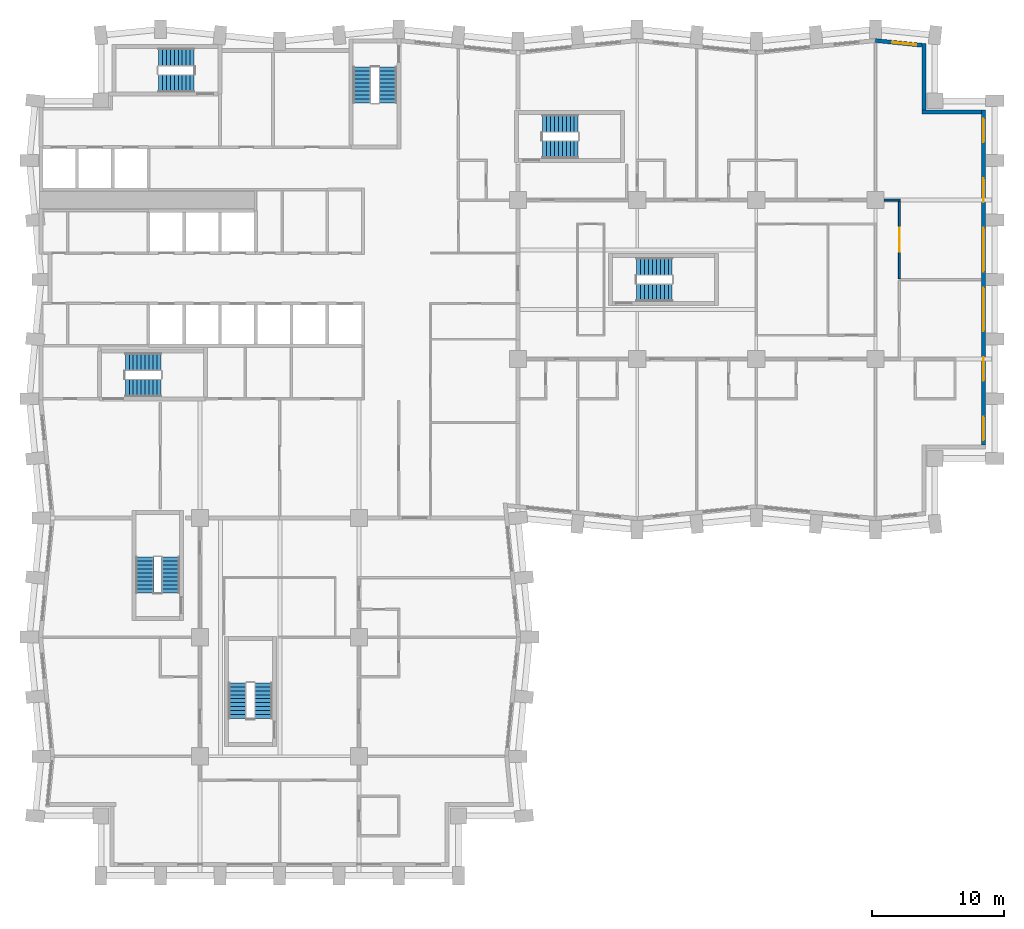
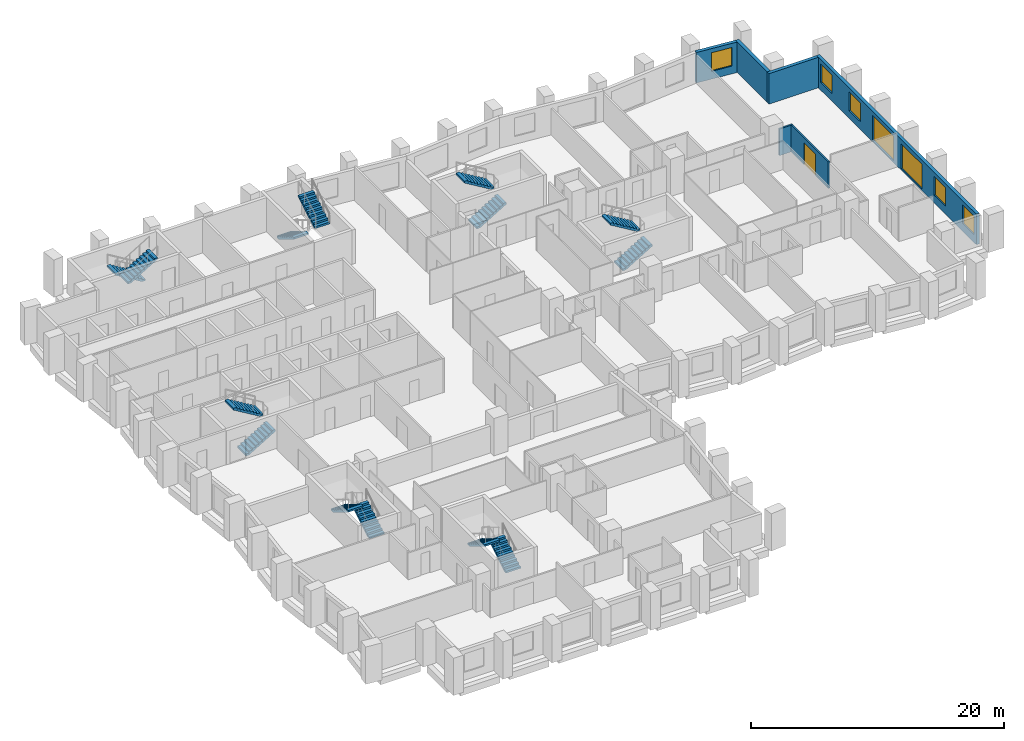
# One storey, part 10 of 12: 14 stair flights, 7 windows, 6 walls, 1 door, 8 openings, 7 elements without a shape of their own.
"""IFC4 building model written with IfcOpenShell, lengths in metres."""

import ifcopenshell
import ifcopenshell.guid

model = None  # the IFC model being written
_history = None  # IfcOwnerHistory: only IFC2X3 demands one
_inside = {}  # id of a spatial element -> (the spatial element, [elements in it])
_under = {}  # id of a project, library or spatial element -> (it, [spatial elements below it])
_declared = {}  # id of a project -> (the project, [libraries it declares])
_typed = {}  # id of a type object -> (the type object, [elements of that type])
_made_of = {}  # id of a material, layer set ... -> (it, [elements and type objects made of it])


def new_model(schema):
    """Start an empty IFC model of exactly this schema.

    Asked for "IFC4X3", IfcOpenShell would pick the latest addendum, in which some entities
    have other attributes; the version numbers below select the first issue.
    IFC2X3 requires an IfcOwnerHistory on every rooted entity: one is made here for all.
    """
    global model, _history
    if schema == "IFC4X3":
        model = ifcopenshell.file(schema_version=(4, 3, 0, 0))
    else:
        model = ifcopenshell.file(schema=schema)
    _inside.clear()
    _under.clear()
    _declared.clear()
    _typed.clear()
    _made_of.clear()
    _history = None
    if model.schema == "IFC2X3":
        org = make("IfcOrganization", Name="unknown")
        user = make(
            "IfcPersonAndOrganization",
            ThePerson=make("IfcPerson", FamilyName="unknown"),
            TheOrganization=org,
        )
        app = make(
            "IfcApplication",
            ApplicationDeveloper=org,
            Version="unknown",
            ApplicationFullName="unknown",
            ApplicationIdentifier="unknown",
        )
        _history = make(
            "IfcOwnerHistory",
            OwningUser=user,
            OwningApplication=app,
            ChangeAction="ADDED",
            CreationDate=0,
        )
    return model


def make(cls, **values):
    """One entity of the class cls with the attributes given. An attribute that is None is left unset."""
    return model.create_entity(
        cls, **{name: value for name, value in values.items() if value is not None}
    )


def rooted(cls, **values):
    """An entity with a GlobalId (a new one), such as an element, a storey or a relation."""
    return make(cls, GlobalId=ifcopenshell.guid.new(), OwnerHistory=_history, **values)


def si_unit(unit_type, name, prefix=None):
    """IfcSIUnit, for example si_unit("LENGTHUNIT", "METRE", prefix="MILLI")."""
    return make("IfcSIUnit", UnitType=unit_type, Prefix=prefix, Name=name)


def assignment(units):
    """IfcUnitAssignment: the units of a project."""
    return None if units is None else make("IfcUnitAssignment", Units=units)


def point(xyz):
    """IfcCartesianPoint."""
    return None if xyz is None else make("IfcCartesianPoint", Coordinates=xyz)


def direction(xyz):
    """IfcDirection."""
    return None if xyz is None else make("IfcDirection", DirectionRatios=xyz)


def frame(location, z_axis=None, x_axis=None):
    """IfcAxis2Placement3D, a coordinate frame: its origin and axes. An axis left out is left unset."""
    return make(
        "IfcAxis2Placement3D",
        Location=point(location),
        Axis=direction(z_axis),
        RefDirection=direction(x_axis),
    )


def frame_2d(location, x_axis=None):
    """IfcAxis2Placement2D, a coordinate frame in the plane: its origin and x axis."""
    return make(
        "IfcAxis2Placement2D", Location=point(location), RefDirection=direction(x_axis)
    )


def origin():
    """The frame at (0, 0, 0) with its axes left unset."""
    return frame((0.0, 0.0, 0.0))


def place(relative_to, where):
    """IfcLocalPlacement: puts the frame where relative to a parent placement (None: the world)."""
    return make(
        "IfcLocalPlacement", PlacementRelTo=relative_to, RelativePlacement=where
    )


def context(
    kind, dimensions, precision=None, world=None, true_north=None, identifier=None
):
    """IfcGeometricRepresentationContext, for example the 3D "Model" context."""
    return make(
        "IfcGeometricRepresentationContext",
        ContextIdentifier=identifier,
        ContextType=kind,
        CoordinateSpaceDimension=dimensions,
        Precision=precision,
        WorldCoordinateSystem=world,
        TrueNorth=true_north,
    )


def subcontext(parent, identifier, kind, view, scale=None):
    """IfcGeometricRepresentationSubContext, for example "Body" below "Model"."""
    return make(
        "IfcGeometricRepresentationSubContext",
        ContextIdentifier=identifier,
        ContextType=kind,
        ParentContext=parent,
        TargetScale=scale,
        TargetView=view,
    )


def project(units=None, contexts=None):
    """IfcProject with its units and contexts."""
    return rooted(
        "IfcProject",
        Name="project",
        RepresentationContexts=contexts,
        UnitsInContext=assignment(units),
    )


def spatial(cls, under=None, at=None, **own):
    """A site, building, storey or space (cls), placed at a placement, below another one or the project."""
    s = rooted(cls, ObjectPlacement=at, **own)
    if under is not None:
        _under.setdefault(under.id(), (under, []))[1].append(s)
    return s


def polyline(points):
    """IfcPolyline through the points."""
    return make("IfcPolyline", Points=[point(p) for p in points])


def profile(cls, at=None, kind="AREA", **sizes):
    """A parametric profile (cls). Its sizes go by their IFC names, for example OverallWidth=200.0."""
    return make(cls, ProfileType=kind, Position=at, **sizes)


def rectangle(**sizes):
    """IfcRectangleProfileDef."""
    return profile("IfcRectangleProfileDef", **sizes)


def outline(outer, holes=None, kind="AREA"):
    """IfcArbitraryClosedProfileDef: a profile drawn as a closed curve; with holes, ...WithVoids."""
    if holes is None:
        return make("IfcArbitraryClosedProfileDef", ProfileType=kind, OuterCurve=outer)
    return make(
        "IfcArbitraryProfileDefWithVoids",
        ProfileType=kind,
        OuterCurve=outer,
        InnerCurves=holes,
    )


def extrude(swept, where, along, depth):
    """IfcExtrudedAreaSolid: the profile swept, set in the frame where, extruded along a direction by depth."""
    return make(
        "IfcExtrudedAreaSolid",
        SweptArea=swept,
        Position=where,
        ExtrudedDirection=direction(along),
        Depth=depth,
    )


def shape(context_of_items, identifier, shape_type, items):
    """IfcShapeRepresentation: the items that make up one representation, for example the "Body"."""
    return make(
        "IfcShapeRepresentation",
        ContextOfItems=context_of_items,
        RepresentationIdentifier=identifier,
        RepresentationType=shape_type,
        Items=items,
    )


def material(Name=None, Category=None):
    """IfcMaterial."""
    return make("IfcMaterial", Name=Name, Category=Category)


def layer(
    of_material, thickness, ventilated=None, Name=None, Category=None, Priority=None
):
    """IfcMaterialLayer: one layer of a wall or slab, of a material (None: an air gap)."""
    return make(
        "IfcMaterialLayer",
        Material=of_material,
        LayerThickness=thickness,
        IsVentilated=ventilated,
        Name=Name,
        Category=Category,
        Priority=Priority,
    )


def layer_set(layers, Name=None):
    """IfcMaterialLayerSet."""
    return make("IfcMaterialLayerSet", MaterialLayers=layers, LayerSetName=Name)


def made_of(thing, what):
    """Note that an element or type object is made of a material, layer set ...; save() writes the relation."""
    if what is not None:
        _made_of.setdefault(what.id(), (what, []))[1].append(thing)
    return thing


def type_object(cls, material=None, **own):
    """A type object (cls), such as IfcWallType, which elements share."""
    return made_of(rooted(cls, **own), material)


def element(
    cls,
    number,
    at=None,
    inside=None,
    cuts=None,
    type_object=None,
    material=None,
    context=None,
    identifier="Body",
    shape_type=None,
    held_by="IfcProductDefinitionShape",
    body=None,
    shapes=None,
    **own,
):
    """One element of the class cls, such as IfcWall. Its Tag is "e" and its number.

    at: its placement. inside: the storey or other place that contains it. cuts: it is an
    opening in that element (IfcRelVoidsElement). A single representation is given by context,
    identifier, shape_type and body (its items); several are given by shapes. held_by: the class
    of the entity that holds the representations. save() writes the other relations.
    """
    e = rooted(cls, Tag="e%d" % number, ObjectPlacement=at, **own)
    if body is not None:
        shapes = [shape(context, identifier, shape_type, body)]
    if shapes is not None:
        e.Representation = make(held_by, Representations=shapes)
    if inside is not None:
        _inside.setdefault(inside.id(), (inside, []))[1].append(e)
    if cuts is not None:
        rooted(
            "IfcRelVoidsElement", RelatingBuildingElement=cuts, RelatedOpeningElement=e
        )
    if type_object is not None:
        _typed.setdefault(type_object.id(), (type_object, []))[1].append(e)
    return made_of(e, material)


def fill(opening, filler):
    """IfcRelFillsElement: the door or window that sits in an opening."""
    return rooted(
        "IfcRelFillsElement",
        RelatingOpeningElement=opening,
        RelatedBuildingElement=filler,
    )


def aggregate(whole, parts):
    """IfcRelAggregates: a whole, such as a stair, and the parts it consists of."""
    return rooted("IfcRelAggregates", RelatingObject=whole, RelatedObjects=parts)


def save(model, path):
    """Write the relations noted so far, then the file.

    IfcRelAggregates (storeys below a building ...), IfcRelContainedInSpatialStructure (elements
    in a storey), IfcRelDefinesByType, IfcRelAssociatesMaterial and IfcRelDeclares: one each for
    every whole, place, type object, material and project.
    """
    for whole, parts in _under.values():
        aggregate(whole, parts)
    for where, things in _inside.values():
        rooted(
            "IfcRelContainedInSpatialStructure",
            RelatedElements=things,
            RelatingStructure=where,
        )
    for kind, things in _typed.values():
        rooted("IfcRelDefinesByType", RelatedObjects=things, RelatingType=kind)
    for what, things in _made_of.values():
        rooted("IfcRelAssociatesMaterial", RelatedObjects=things, RelatingMaterial=what)
    for by, libraries in _declared.values():
        rooted("IfcRelDeclares", RelatingContext=by, RelatedDefinitions=libraries)
    model.write(path)


model = new_model("IFC4")

# Units and contexts
model_context = context("Model", 3, precision=1e-05, world=origin(), true_north=direction((0.0, 1.0)))
body_context = subcontext(model_context, "Body", "Model", "MODEL_VIEW")
ifc_project = project(units=[si_unit("LENGTHUNIT", "METRE"), si_unit("AREAUNIT", "SQUARE_METRE"), si_unit("VOLUMEUNIT", "CUBIC_METRE"), si_unit("PLANEANGLEUNIT", "RADIAN"), si_unit("MASSUNIT", "GRAM", prefix="KILO")], contexts=[model_context])

# Site, building, storey
site_placement = place(None, origin())
site = spatial("IfcSite", under=ifc_project, at=site_placement, CompositionType="ELEMENT")
building_placement = place(site_placement, origin())
building = spatial("IfcBuilding", under=site, at=building_placement, Name="Brondeck Convention Tower", CompositionType="ELEMENT")
storey_placement = place(building_placement, frame((0.0, 0.0, 55.5)))
storey = spatial("IfcBuildingStorey", under=building, at=storey_placement, Name="L11", CompositionType="ELEMENT", Elevation=55.5)

# Wall, openings, windows
ifc_material_1 = material(Name="Precast concrete C50/60 bronze finish", Category="concrete")
ifc_layer_1 = layer(ifc_material_1, 0.070068359375, Name="Bronze precast facing")
ifc_material_2 = material(Name="Mineral wool")
ifc_layer_2 = layer(ifc_material_2, 0.159912109375, Name="Insulation")
ifc_material_3 = material(Name="Concrete C35/45", Category="concrete")
ifc_layer_3 = layer(ifc_material_3, 0.070068359375, Name="Backing")
ifc_layer_set_1 = layer_set([ifc_layer_1, ifc_layer_2, ifc_layer_3], Name="External infill wall, precast concrete C50/60 bronze facing")
wall_type_1 = type_object("IfcWallType", Name="External infill wall, precast concrete C50/60 bronze facing", PredefinedType="SOLIDWALL", material=ifc_layer_set_1)
wall_1_placement = place(storey_placement, frame((71.14990234375, 57.800048828125, 0.0), z_axis=(0.0, 0.0, 1.0), x_axis=(0.0, -1.0, 0.0)))
wall_1 = element("IfcWall", 1, at=wall_1_placement, inside=storey, type_object=wall_type_1, Name="ENV-EW-L11-P0-A-E72-01", PredefinedType="SOLIDWALL", context=body_context, shape_type="SweptSolid", body=[
    extrude(rectangle(XDim=25.302001953125, YDim=0.300048828125, at=frame_2d((12.65087890625, 0.0))), origin(), (0.0, 0.0, 1.0), 2.949951171875),
])
opening_1_placement = place(wall_1_placement, frame((0.64990234375, 0.0, 0.75)))
opening_1 = element("IfcOpeningElement", 2, at=opening_1_placement, cuts=wall_1, Name="Opening W10", PredefinedType="OPENING", context=body_context, shape_type="SweptSolid", body=[
    extrude(rectangle(XDim=1.800048828125, YDim=1.800048828125, at=frame_2d((0.89990234375, 0.89990234375))), frame((0.0, 0.159912109375, 0.0), z_axis=(0.0, -1.0, 0.0), x_axis=(1.0, 0.0, 0.0)), (0.0, 0.0, 1.0), 0.320068359375),
])
opening_2_placement = place(wall_1_placement, frame((5.14990234375, 0.0, 0.75)))
opening_2 = element("IfcOpeningElement", 3, at=opening_2_placement, cuts=wall_1, Name="Opening W10", PredefinedType="OPENING", context=body_context, shape_type="SweptSolid", body=[
    extrude(rectangle(XDim=1.800048828125, YDim=1.800048828125, at=frame_2d((0.89990234375, 0.89990234375))), frame((0.0, 0.159912109375, 0.0), z_axis=(0.0, -1.0, 0.0), x_axis=(1.0, 0.0, 0.0)), (0.0, 0.0, 1.0), 0.320068359375),
])
opening_3_placement = place(wall_1_placement, frame((8.89990234375, 0.0, 0.14990234375)))
opening_3 = element("IfcOpeningElement", 4, at=opening_3_placement, cuts=wall_1, Name="Opening W9", PredefinedType="OPENING", context=body_context, shape_type="SweptSolid", body=[
    extrude(rectangle(XDim=3.300048828125, YDim=2.39990234375, at=frame_2d((1.64990234375, 1.199951171875))), frame((0.0, 0.159912109375, 0.0), z_axis=(0.0, -1.0, 0.0), x_axis=(1.0, 0.0, 0.0)), (0.0, 0.0, 1.0), 0.320068359375),
])
opening_4_placement = place(wall_1_placement, frame((13.39990234375, 0.0, 0.14990234375)))
opening_4 = element("IfcOpeningElement", 5, at=opening_4_placement, cuts=wall_1, Name="Opening W9", PredefinedType="OPENING", context=body_context, shape_type="SweptSolid", body=[
    extrude(rectangle(XDim=3.300048828125, YDim=2.39990234375, at=frame_2d((1.64990234375, 1.199951171875))), frame((0.0, 0.159912109375, 0.0), z_axis=(0.0, -1.0, 0.0), x_axis=(1.0, 0.0, 0.0)), (0.0, 0.0, 1.0), 0.320068359375),
])
opening_5_placement = place(wall_1_placement, frame((18.64990234375, 0.0, 0.75)))
opening_5 = element("IfcOpeningElement", 6, at=opening_5_placement, cuts=wall_1, Name="Opening W10", PredefinedType="OPENING", context=body_context, shape_type="SweptSolid", body=[
    extrude(rectangle(XDim=1.800048828125, YDim=1.800048828125, at=frame_2d((0.89990234375, 0.89990234375))), frame((0.0, 0.159912109375, 0.0), z_axis=(0.0, -1.0, 0.0), x_axis=(1.0, 0.0, 0.0)), (0.0, 0.0, 1.0), 0.320068359375),
])
opening_6_placement = place(wall_1_placement, frame((23.14990234375, 0.0, 0.75)))
opening_6 = element("IfcOpeningElement", 7, at=opening_6_placement, cuts=wall_1, Name="Opening W10", PredefinedType="OPENING", context=body_context, shape_type="SweptSolid", body=[
    extrude(rectangle(XDim=1.800048828125, YDim=1.800048828125, at=frame_2d((0.89990234375, 0.89990234375))), frame((0.0, 0.159912109375, 0.0), z_axis=(0.0, -1.0, 0.0), x_axis=(1.0, 0.0, 0.0)), (0.0, 0.0, 1.0), 0.320068359375),
])
ifc_material_4 = material(Name="Bronze tinted double glazing", Category="glass")
window_type_1 = type_object("IfcWindowType", Name="Glazed flute window, bronze tinted", PartitioningType="SINGLE_PANEL", PredefinedType="WINDOW", material=ifc_material_4)
window_1_placement = place(opening_3_placement, origin())
window_1 = element("IfcWindow", 8, at=window_1_placement, inside=storey, type_object=window_type_1, Name="ENV-WN-L11-P0-A-E72-04", OverallHeight=2.39990234375, OverallWidth=3.300048828125, PartitioningType="SINGLE_PANEL", PredefinedType="WINDOW", context=body_context, shape_type="SweptSolid", body=[
    extrude(rectangle(XDim=3.300048828125, YDim=2.39990234375, at=frame_2d((1.64990234375, 1.199951171875))), frame((0.0, 0.030029296875, 0.0), z_axis=(0.0, -1.0, 0.0), x_axis=(1.0, 0.0, 0.0)), (0.0, 0.0, 1.0), 0.06005859375),
])
fill(opening_3, window_1)
window_2_placement = place(opening_4_placement, origin())
window_2 = element("IfcWindow", 9, at=window_2_placement, inside=storey, type_object=window_type_1, Name="ENV-WN-L11-P0-A-E72-03", OverallHeight=2.39990234375, OverallWidth=3.300048828125, PartitioningType="SINGLE_PANEL", PredefinedType="WINDOW", context=body_context, shape_type="SweptSolid", body=[
    extrude(rectangle(XDim=3.300048828125, YDim=2.39990234375, at=frame_2d((1.64990234375, 1.199951171875))), frame((0.0, 0.030029296875, 0.0), z_axis=(0.0, -1.0, 0.0), x_axis=(1.0, 0.0, 0.0)), (0.0, 0.0, 1.0), 0.06005859375),
])
fill(opening_4, window_2)
window_type_2 = type_object("IfcWindowType", Name="Punched window, bronze tinted", PartitioningType="SINGLE_PANEL", PredefinedType="WINDOW", material=ifc_material_4)
window_3_placement = place(opening_1_placement, origin())
window_3 = element("IfcWindow", 10, at=window_3_placement, inside=storey, type_object=window_type_2, Name="ENV-WN-L11-P0-A-E72-06", OverallHeight=1.800048828125, OverallWidth=1.800048828125, PartitioningType="SINGLE_PANEL", PredefinedType="WINDOW", context=body_context, shape_type="SweptSolid", body=[
    extrude(rectangle(XDim=1.800048828125, YDim=1.800048828125, at=frame_2d((0.89990234375, 0.89990234375))), frame((0.0, 0.030029296875, 0.0), z_axis=(0.0, -1.0, 0.0), x_axis=(1.0, 0.0, 0.0)), (0.0, 0.0, 1.0), 0.06005859375),
])
fill(opening_1, window_3)
window_4_placement = place(opening_2_placement, origin())
window_4 = element("IfcWindow", 11, at=window_4_placement, inside=storey, type_object=window_type_2, Name="ENV-WN-L11-P0-A-E72-05", OverallHeight=1.800048828125, OverallWidth=1.800048828125, PartitioningType="SINGLE_PANEL", PredefinedType="WINDOW", context=body_context, shape_type="SweptSolid", body=[
    extrude(rectangle(XDim=1.800048828125, YDim=1.800048828125, at=frame_2d((0.89990234375, 0.89990234375))), frame((0.0, 0.030029296875, 0.0), z_axis=(0.0, -1.0, 0.0), x_axis=(1.0, 0.0, 0.0)), (0.0, 0.0, 1.0), 0.06005859375),
])
fill(opening_2, window_4)
window_5_placement = place(opening_5_placement, origin())
window_5 = element("IfcWindow", 12, at=window_5_placement, inside=storey, type_object=window_type_2, Name="ENV-WN-L11-P0-A-E72-02", OverallHeight=1.800048828125, OverallWidth=1.800048828125, PartitioningType="SINGLE_PANEL", PredefinedType="WINDOW", context=body_context, shape_type="SweptSolid", body=[
    extrude(rectangle(XDim=1.800048828125, YDim=1.800048828125, at=frame_2d((0.89990234375, 0.89990234375))), frame((0.0, 0.030029296875, 0.0), z_axis=(0.0, -1.0, 0.0), x_axis=(1.0, 0.0, 0.0)), (0.0, 0.0, 1.0), 0.06005859375),
])
fill(opening_5, window_5)
window_6_placement = place(opening_6_placement, origin())
window_6 = element("IfcWindow", 13, at=window_6_placement, inside=storey, type_object=window_type_2, Name="ENV-WN-L11-P0-A-E72-01", OverallHeight=1.800048828125, OverallWidth=1.800048828125, PartitioningType="SINGLE_PANEL", PredefinedType="WINDOW", context=body_context, shape_type="SweptSolid", body=[
    extrude(rectangle(XDim=1.800048828125, YDim=1.800048828125, at=frame_2d((0.89990234375, 0.89990234375))), frame((0.0, 0.030029296875, 0.0), z_axis=(0.0, -1.0, 0.0), x_axis=(1.0, 0.0, 0.0)), (0.0, 0.0, 1.0), 0.06005859375),
])
fill(opening_6, window_6)

# Walls
wall_2_placement = place(storey_placement, frame((66.5, 57.64990234375, 0.0), z_axis=(0.0, 0.0, 1.0), x_axis=(1.0, 0.0, 0.0)))
element("IfcWall", 14, at=wall_2_placement, inside=storey, type_object=wall_type_1, Name="ENV-EW-L11-P0-NC-NEA72-01", PredefinedType="SOLIDWALL", context=body_context, shape_type="SweptSolid", body=[
    extrude(rectangle(XDim=4.5, YDim=0.300048828125, at=frame_2d((2.25, 0.0))), origin(), (0.0, 0.0, 1.0), 2.949951171875),
])
wall_3_placement = place(storey_placement, frame((66.64990234375, 62.81640625, 0.0), z_axis=(0.0, 0.0, 1.0), x_axis=(0.0, -1.0, 0.0)))
element("IfcWall", 15, at=wall_3_placement, inside=storey, type_object=wall_type_1, Name="ENV-EW-L11-P0-NC-NEA72-02", PredefinedType="SOLIDWALL", context=body_context, shape_type="SweptSolid", body=[
    extrude(rectangle(XDim=5.018310546875, YDim=0.300048828125, at=frame_2d((2.50927734375, 0.0))), origin(), (0.0, 0.0, 1.0), 2.949951171875),
])

# Wall, opening, window
wall_4_placement = place(storey_placement, frame((62.985107421875, 63.04736328125, 0.0), z_axis=(0.0, 0.0, 1.0), x_axis=(0.995031712439, -0.099558481511, 0.0)))
wall_4 = element("IfcWall", 16, at=wall_4_placement, inside=storey, type_object=wall_type_1, Name="ENV-EW-L11-P0-A-N-14", PredefinedType="SOLIDWALL", context=body_context, shape_type="SweptSolid", body=[
    extrude(rectangle(XDim=3.53125, YDim=0.300048828125, at=frame_2d((1.765625, 0.0))), origin(), (0.0, 0.0, 1.0), 2.949951171875),
])
opening_7_placement = place(wall_4_placement, frame((1.291259765625, 0.0, 0.75)))
opening_7 = element("IfcOpeningElement", 17, at=opening_7_placement, cuts=wall_4, Name="Opening W10", PredefinedType="OPENING", context=body_context, shape_type="SweptSolid", body=[
    extrude(rectangle(XDim=1.800048828125, YDim=1.800048828125, at=frame_2d((0.89990234375, 0.89990234375))), frame((0.0, 0.159912109375, 0.0), z_axis=(0.0, -1.0, 0.0), x_axis=(1.0, 0.0, 0.0)), (0.0, 0.0, 1.0), 0.320068359375),
])
window_7_placement = place(opening_7_placement, origin())
window_7 = element("IfcWindow", 18, at=window_7_placement, inside=storey, type_object=window_type_2, Name="ENV-WN-L11-P0-A-N-14", OverallHeight=1.800048828125, OverallWidth=1.800048828125, PartitioningType="SINGLE_PANEL", PredefinedType="WINDOW", context=body_context, shape_type="SweptSolid", body=[
    extrude(rectangle(XDim=1.800048828125, YDim=1.800048828125, at=frame_2d((0.89990234375, 0.89990234375))), frame((0.0, 0.030029296875, 0.0), z_axis=(0.0, -1.0, 0.0), x_axis=(1.0, 0.0, 0.0)), (0.0, 0.0, 1.0), 0.06005859375),
])
fill(opening_7, window_7)

# Wall, opening, door
ifc_material_5 = material(Name="Double gypsum board acoustic wall")
ifc_layer_4 = layer(ifc_material_5, 0.14990234375)
ifc_layer_set_2 = layer_set([ifc_layer_4], Name="Guest room party wall 150")
wall_type_2 = type_object("IfcWallType", Name="Guest room party wall 150", PredefinedType="PARTITIONING", material=ifc_layer_set_2)
wall_5_placement = place(storey_placement, frame((64.800048828125, 50.925048828125, 0.0), z_axis=(0.0, 0.0, 1.0), x_axis=(0.0, -1.0, 0.0)))
wall_5 = element("IfcWall", 19, at=wall_5_placement, inside=storey, type_object=wall_type_2, Name="FLR-L11-W102", PredefinedType="PARTITIONING", context=body_context, shape_type="SweptSolid", body=[
    extrude(rectangle(XDim=5.85009765625, YDim=0.14990234375, at=frame_2d((2.925048828125, 0.0))), origin(), (0.0, 0.0, 1.0), 2.580078125),
])
opening_8_placement = place(wall_5_placement, frame((2.02490234375, 0.0, 0.0)))
opening_8 = element("IfcOpeningElement", 20, at=opening_8_placement, cuts=wall_5, Name="Opening H2-019", PredefinedType="OPENING", context=body_context, shape_type="SweptSolid", body=[
    extrude(rectangle(XDim=1.800048828125, YDim=2.10009765625, at=frame_2d((0.89990234375, 1.050048828125))), frame((0.0, 0.0849609375, 0.0), z_axis=(0.0, -1.0, 0.0), x_axis=(1.0, 0.0, 0.0)), (0.0, 0.0, 1.0), 0.169921875),
])
ifc_material_6 = material(Name="Glazed timber double door", Category="wood")
door_type = type_object("IfcDoorType", Name="Double door 1800", OperationType="DOUBLE_DOOR_SINGLE_SWING", PredefinedType="DOOR", material=ifc_material_6)
door_placement = place(opening_8_placement, origin())
door = element("IfcDoor", 21, at=door_placement, inside=storey, type_object=door_type, Name="Door H2-019", OperationType="DOUBLE_DOOR_SINGLE_SWING", OverallHeight=2.10009765625, OverallWidth=1.800048828125, PredefinedType="DOOR", context=body_context, shape_type="SweptSolid", body=[
    extrude(rectangle(XDim=1.800048828125, YDim=2.10009765625, at=frame_2d((0.89990234375, 1.050048828125))), frame((0.0, 0.02490234375, 0.0), z_axis=(0.0, -1.0, 0.0), x_axis=(1.0, 0.0, 0.0)), (0.0, 0.0, 1.0), 0.050048828125),
])
fill(opening_8, door)

# Wall
wall_6_placement = place(storey_placement, frame((63.655029296875, 51.0, 0.0), z_axis=(0.0, 0.0, 1.0), x_axis=(1.0, 0.0, 0.0)))
element("IfcWall", 22, at=wall_6_placement, inside=storey, type_object=wall_type_2, Name="FLR-L11-W113", PredefinedType="PARTITIONING", context=body_context, shape_type="SweptSolid", body=[
    extrude(rectangle(XDim=1.219970703125, YDim=0.14990234375, at=frame_2d((0.60986328125, 0.0))), origin(), (0.0, 0.0, 1.0), 2.580078125),
])

# Stair, stair flights
ifc_material_7 = material(Name="Precast concrete C50/60", Category="concrete")
stair_type = type_object("IfcStairType", Name="Core stair 20 risers 180.00 mm riser 300 mm going 1350 wide", PredefinedType="HALF_TURN_STAIR", material=ifc_material_7)
stair_1_placement = place(storey_placement, origin())
stair_1 = element("IfcStair", 23, at=stair_1_placement, inside=storey, type_object=stair_type, Name="ST-1 L11 stair", PredefinedType="HALF_TURN_STAIR")
stair_flight_type = type_object("IfcStairFlightType", Name="Core stair flight 20 risers 180.00 mm riser 300 mm going 1350 wide", PredefinedType="STRAIGHT", material=ifc_material_7)
stair_flight_1_placement = place(storey_placement, frame((6.35009765625, 36.824951171875, 0.0), z_axis=(0.0, 0.0, 1.0), x_axis=(1.0, 0.0, 0.0)))
stair_flight_1 = element("IfcStairFlight", 24, at=stair_flight_1_placement, type_object=stair_flight_type, Name="ST-1 flight 1", NumberOfRisers=10, NumberOfTreads=9, PredefinedType="STRAIGHT", RiserHeight=0.18, TreadLength=0.3, context=body_context, shape_type="SweptSolid", body=[
    extrude(outline(polyline([(0.0, 0.0), (0.0, 0.179931640625), (0.300048828125, 0.179931640625), (0.300048828125, 0.360107421875), (0.60009765625, 0.360107421875), (0.60009765625, 0.5400390625), (0.89990234375, 0.5400390625), (0.89990234375, 0.719970703125), (1.199951171875, 0.719970703125), (1.199951171875, 0.89990234375), (1.5, 0.89990234375), (1.5, 1.080078125), (1.800048828125, 1.080078125), (1.800048828125, 1.260009765625), (2.10009765625, 1.260009765625), (2.10009765625, 1.43994140625), (2.39990234375, 1.43994140625), (2.39990234375, 1.6201171875), (2.699951171875, 1.6201171875), (2.699951171875, 1.800048828125), (2.699951171875, 1.445068359375), (0.291259765625, 0.0), (0.0, 0.0)])), frame((0.0, 0.675048828125, 0.0), z_axis=(0.0, -1.0, 0.0), x_axis=(1.0, 0.0, 0.0)), (0.0, 0.0, 1.0), 1.35009765625),
])
stair_flight_2_placement = place(storey_placement, frame((9.050048828125, 38.77490234375, 1.800048828125), z_axis=(0.0, 0.0, 1.0), x_axis=(-1.0, 0.0, 0.0)))
stair_flight_2 = element("IfcStairFlight", 25, at=stair_flight_2_placement, type_object=stair_flight_type, Name="ST-1 flight 2", NumberOfRisers=10, NumberOfTreads=9, PredefinedType="STRAIGHT", RiserHeight=0.18, TreadLength=0.3, context=body_context, shape_type="SweptSolid", body=[
    extrude(outline(polyline([(0.0, 0.0), (0.0, 0.179931640625), (0.300048828125, 0.179931640625), (0.300048828125, 0.360107421875), (0.60009765625, 0.360107421875), (0.60009765625, 0.5400390625), (0.89990234375, 0.5400390625), (0.89990234375, 0.719970703125), (1.199951171875, 0.719970703125), (1.199951171875, 0.89990234375), (1.5, 0.89990234375), (1.5, 1.080078125), (1.800048828125, 1.080078125), (1.800048828125, 1.260009765625), (2.10009765625, 1.260009765625), (2.10009765625, 1.43994140625), (2.39990234375, 1.43994140625), (2.39990234375, 1.6201171875), (2.699951171875, 1.6201171875), (2.699951171875, 1.800048828125), (2.699951171875, 1.445068359375), (0.291259765625, 0.0), (0.0, 0.0)])), frame((0.0, 0.675048828125, 0.0), z_axis=(0.0, -1.0, 0.0), x_axis=(1.0, 0.0, 0.0)), (0.0, 0.0, 1.0), 1.35009765625),
])
aggregate(stair_1, [stair_flight_1, stair_flight_2])

stair_2_placement = place(storey_placement, origin())
stair_2 = element("IfcStair", 26, at=stair_2_placement, inside=storey, type_object=stair_type, Name="ST-2 L11 stair", PredefinedType="HALF_TURN_STAIR")
stair_flight_3_placement = place(storey_placement, frame((24.22509765625, 61.050048828125, 0.0), z_axis=(0.0, 0.0, 1.0), x_axis=(0.0, -1.0, 0.0)))
stair_flight_3 = element("IfcStairFlight", 27, at=stair_flight_3_placement, type_object=stair_flight_type, Name="ST-2 flight 1", NumberOfRisers=10, NumberOfTreads=9, PredefinedType="STRAIGHT", RiserHeight=0.18, TreadLength=0.3, context=body_context, shape_type="SweptSolid", body=[
    extrude(outline(polyline([(0.0, 0.0), (0.0, 0.179931640625), (0.300048828125, 0.179931640625), (0.300048828125, 0.360107421875), (0.60009765625, 0.360107421875), (0.60009765625, 0.5400390625), (0.89990234375, 0.5400390625), (0.89990234375, 0.719970703125), (1.199951171875, 0.719970703125), (1.199951171875, 0.89990234375), (1.5, 0.89990234375), (1.5, 1.080078125), (1.800048828125, 1.080078125), (1.800048828125, 1.260009765625), (2.10009765625, 1.260009765625), (2.10009765625, 1.43994140625), (2.39990234375, 1.43994140625), (2.39990234375, 1.6201171875), (2.699951171875, 1.6201171875), (2.699951171875, 1.800048828125), (2.699951171875, 1.445068359375), (0.291259765625, 0.0), (0.0, 0.0)])), frame((0.0, 0.675048828125, 0.0), z_axis=(0.0, -1.0, 0.0), x_axis=(1.0, 0.0, 0.0)), (0.0, 0.0, 1.0), 1.35009765625),
])
stair_flight_4_placement = place(storey_placement, frame((26.175048828125, 58.35009765625, 1.800048828125), z_axis=(0.0, 0.0, 1.0), x_axis=(0.0, 1.0, 0.0)))
stair_flight_4 = element("IfcStairFlight", 28, at=stair_flight_4_placement, type_object=stair_flight_type, Name="ST-2 flight 2", NumberOfRisers=10, NumberOfTreads=9, PredefinedType="STRAIGHT", RiserHeight=0.18, TreadLength=0.3, context=body_context, shape_type="SweptSolid", body=[
    extrude(outline(polyline([(0.0, 0.0), (0.0, 0.179931640625), (0.300048828125, 0.179931640625), (0.300048828125, 0.360107421875), (0.60009765625, 0.360107421875), (0.60009765625, 0.5400390625), (0.89990234375, 0.5400390625), (0.89990234375, 0.719970703125), (1.199951171875, 0.719970703125), (1.199951171875, 0.89990234375), (1.5, 0.89990234375), (1.5, 1.080078125), (1.800048828125, 1.080078125), (1.800048828125, 1.260009765625), (2.10009765625, 1.260009765625), (2.10009765625, 1.43994140625), (2.39990234375, 1.43994140625), (2.39990234375, 1.6201171875), (2.699951171875, 1.6201171875), (2.699951171875, 1.800048828125), (2.699951171875, 1.445068359375), (0.291259765625, 0.0), (0.0, 0.0)])), frame((0.0, 0.675048828125, 0.0), z_axis=(0.0, -1.0, 0.0), x_axis=(1.0, 0.0, 0.0)), (0.0, 0.0, 1.0), 1.35009765625),
])
aggregate(stair_2, [stair_flight_3, stair_flight_4])

stair_3_placement = place(storey_placement, origin())
stair_3 = element("IfcStair", 29, at=stair_3_placement, inside=storey, type_object=stair_type, Name="ST-3 L11 stair", PredefinedType="HALF_TURN_STAIR")
stair_flight_5_placement = place(storey_placement, frame((11.550048828125, 61.77490234375, 0.0), z_axis=(0.0, 0.0, 1.0), x_axis=(-1.0, 0.0, 0.0)))
stair_flight_5 = element("IfcStairFlight", 30, at=stair_flight_5_placement, type_object=stair_flight_type, Name="ST-3 flight 1", NumberOfRisers=10, NumberOfTreads=9, PredefinedType="STRAIGHT", RiserHeight=0.18, TreadLength=0.3, context=body_context, shape_type="SweptSolid", body=[
    extrude(outline(polyline([(0.0, 0.0), (0.0, 0.179931640625), (0.300048828125, 0.179931640625), (0.300048828125, 0.360107421875), (0.60009765625, 0.360107421875), (0.60009765625, 0.5400390625), (0.89990234375, 0.5400390625), (0.89990234375, 0.719970703125), (1.199951171875, 0.719970703125), (1.199951171875, 0.89990234375), (1.5, 0.89990234375), (1.5, 1.080078125), (1.800048828125, 1.080078125), (1.800048828125, 1.260009765625), (2.10009765625, 1.260009765625), (2.10009765625, 1.43994140625), (2.39990234375, 1.43994140625), (2.39990234375, 1.6201171875), (2.699951171875, 1.6201171875), (2.699951171875, 1.800048828125), (2.699951171875, 1.445068359375), (0.291259765625, 0.0), (0.0, 0.0)])), frame((0.0, 0.675048828125, 0.0), z_axis=(0.0, -1.0, 0.0), x_axis=(1.0, 0.0, 0.0)), (0.0, 0.0, 1.0), 1.35009765625),
])
stair_flight_6_placement = place(storey_placement, frame((8.85009765625, 59.824951171875, 1.800048828125), z_axis=(0.0, 0.0, 1.0), x_axis=(1.0, 0.0, 0.0)))
stair_flight_6 = element("IfcStairFlight", 31, at=stair_flight_6_placement, type_object=stair_flight_type, Name="ST-3 flight 2", NumberOfRisers=10, NumberOfTreads=9, PredefinedType="STRAIGHT", RiserHeight=0.18, TreadLength=0.3, context=body_context, shape_type="SweptSolid", body=[
    extrude(outline(polyline([(0.0, 0.0), (0.0, 0.179931640625), (0.300048828125, 0.179931640625), (0.300048828125, 0.360107421875), (0.60009765625, 0.360107421875), (0.60009765625, 0.5400390625), (0.89990234375, 0.5400390625), (0.89990234375, 0.719970703125), (1.199951171875, 0.719970703125), (1.199951171875, 0.89990234375), (1.5, 0.89990234375), (1.5, 1.080078125), (1.800048828125, 1.080078125), (1.800048828125, 1.260009765625), (2.10009765625, 1.260009765625), (2.10009765625, 1.43994140625), (2.39990234375, 1.43994140625), (2.39990234375, 1.6201171875), (2.699951171875, 1.6201171875), (2.699951171875, 1.800048828125), (2.699951171875, 1.445068359375), (0.291259765625, 0.0), (0.0, 0.0)])), frame((0.0, 0.675048828125, 0.0), z_axis=(0.0, -1.0, 0.0), x_axis=(1.0, 0.0, 0.0)), (0.0, 0.0, 1.0), 1.35009765625),
])
aggregate(stair_3, [stair_flight_5, stair_flight_6])

stair_4_placement = place(storey_placement, origin())
stair_4 = element("IfcStair", 32, at=stair_4_placement, inside=storey, type_object=stair_type, Name="ST-AE L11 stair", PredefinedType="HALF_TURN_STAIR")
stair_flight_7_placement = place(storey_placement, frame((37.85009765625, 54.824951171875, 0.0), z_axis=(0.0, 0.0, 1.0), x_axis=(1.0, 0.0, 0.0)))
stair_flight_7 = element("IfcStairFlight", 33, at=stair_flight_7_placement, type_object=stair_flight_type, Name="ST-AE flight 1", NumberOfRisers=10, NumberOfTreads=9, PredefinedType="STRAIGHT", RiserHeight=0.18, TreadLength=0.3, context=body_context, shape_type="SweptSolid", body=[
    extrude(outline(polyline([(0.0, 0.0), (0.0, 0.179931640625), (0.300048828125, 0.179931640625), (0.300048828125, 0.360107421875), (0.60009765625, 0.360107421875), (0.60009765625, 0.5400390625), (0.89990234375, 0.5400390625), (0.89990234375, 0.719970703125), (1.199951171875, 0.719970703125), (1.199951171875, 0.89990234375), (1.5, 0.89990234375), (1.5, 1.080078125), (1.800048828125, 1.080078125), (1.800048828125, 1.260009765625), (2.10009765625, 1.260009765625), (2.10009765625, 1.43994140625), (2.39990234375, 1.43994140625), (2.39990234375, 1.6201171875), (2.699951171875, 1.6201171875), (2.699951171875, 1.800048828125), (2.699951171875, 1.445068359375), (0.291259765625, 0.0), (0.0, 0.0)])), frame((0.0, 0.675048828125, 0.0), z_axis=(0.0, -1.0, 0.0), x_axis=(1.0, 0.0, 0.0)), (0.0, 0.0, 1.0), 1.35009765625),
])
stair_flight_8_placement = place(storey_placement, frame((40.550048828125, 56.77490234375, 1.800048828125), z_axis=(0.0, 0.0, 1.0), x_axis=(-1.0, 0.0, 0.0)))
stair_flight_8 = element("IfcStairFlight", 34, at=stair_flight_8_placement, type_object=stair_flight_type, Name="ST-AE flight 2", NumberOfRisers=10, NumberOfTreads=9, PredefinedType="STRAIGHT", RiserHeight=0.18, TreadLength=0.3, context=body_context, shape_type="SweptSolid", body=[
    extrude(outline(polyline([(0.0, 0.0), (0.0, 0.179931640625), (0.300048828125, 0.179931640625), (0.300048828125, 0.360107421875), (0.60009765625, 0.360107421875), (0.60009765625, 0.5400390625), (0.89990234375, 0.5400390625), (0.89990234375, 0.719970703125), (1.199951171875, 0.719970703125), (1.199951171875, 0.89990234375), (1.5, 0.89990234375), (1.5, 1.080078125), (1.800048828125, 1.080078125), (1.800048828125, 1.260009765625), (2.10009765625, 1.260009765625), (2.10009765625, 1.43994140625), (2.39990234375, 1.43994140625), (2.39990234375, 1.6201171875), (2.699951171875, 1.6201171875), (2.699951171875, 1.800048828125), (2.699951171875, 1.445068359375), (0.291259765625, 0.0), (0.0, 0.0)])), frame((0.0, 0.675048828125, 0.0), z_axis=(0.0, -1.0, 0.0), x_axis=(1.0, 0.0, 0.0)), (0.0, 0.0, 1.0), 1.35009765625),
])
aggregate(stair_4, [stair_flight_7, stair_flight_8])

stair_5_placement = place(storey_placement, origin())
stair_5 = element("IfcStair", 35, at=stair_5_placement, inside=storey, type_object=stair_type, Name="ST-BE L11 stair", PredefinedType="HALF_TURN_STAIR")
stair_flight_9_placement = place(storey_placement, frame((9.77490234375, 21.35009765625, 0.0), z_axis=(0.0, 0.0, 1.0), x_axis=(0.0, 1.0, 0.0)))
stair_flight_9 = element("IfcStairFlight", 36, at=stair_flight_9_placement, type_object=stair_flight_type, Name="ST-BE flight 1", NumberOfRisers=10, NumberOfTreads=9, PredefinedType="STRAIGHT", RiserHeight=0.18, TreadLength=0.3, context=body_context, shape_type="SweptSolid", body=[
    extrude(outline(polyline([(0.0, 0.0), (0.0, 0.179931640625), (0.300048828125, 0.179931640625), (0.300048828125, 0.360107421875), (0.60009765625, 0.360107421875), (0.60009765625, 0.5400390625), (0.89990234375, 0.5400390625), (0.89990234375, 0.719970703125), (1.199951171875, 0.719970703125), (1.199951171875, 0.89990234375), (1.5, 0.89990234375), (1.5, 1.080078125), (1.800048828125, 1.080078125), (1.800048828125, 1.260009765625), (2.10009765625, 1.260009765625), (2.10009765625, 1.43994140625), (2.39990234375, 1.43994140625), (2.39990234375, 1.6201171875), (2.699951171875, 1.6201171875), (2.699951171875, 1.800048828125), (2.699951171875, 1.445068359375), (0.291259765625, 0.0), (0.0, 0.0)])), frame((0.0, 0.675048828125, 0.0), z_axis=(0.0, -1.0, 0.0), x_axis=(1.0, 0.0, 0.0)), (0.0, 0.0, 1.0), 1.35009765625),
])
stair_flight_10_placement = place(storey_placement, frame((7.824951171875, 24.050048828125, 1.800048828125), z_axis=(0.0, 0.0, 1.0), x_axis=(0.0, -1.0, 0.0)))
stair_flight_10 = element("IfcStairFlight", 37, at=stair_flight_10_placement, type_object=stair_flight_type, Name="ST-BE flight 2", NumberOfRisers=10, NumberOfTreads=9, PredefinedType="STRAIGHT", RiserHeight=0.18, TreadLength=0.3, context=body_context, shape_type="SweptSolid", body=[
    extrude(outline(polyline([(0.0, 0.0), (0.0, 0.179931640625), (0.300048828125, 0.179931640625), (0.300048828125, 0.360107421875), (0.60009765625, 0.360107421875), (0.60009765625, 0.5400390625), (0.89990234375, 0.5400390625), (0.89990234375, 0.719970703125), (1.199951171875, 0.719970703125), (1.199951171875, 0.89990234375), (1.5, 0.89990234375), (1.5, 1.080078125), (1.800048828125, 1.080078125), (1.800048828125, 1.260009765625), (2.10009765625, 1.260009765625), (2.10009765625, 1.43994140625), (2.39990234375, 1.43994140625), (2.39990234375, 1.6201171875), (2.699951171875, 1.6201171875), (2.699951171875, 1.800048828125), (2.699951171875, 1.445068359375), (0.291259765625, 0.0), (0.0, 0.0)])), frame((0.0, 0.675048828125, 0.0), z_axis=(0.0, -1.0, 0.0), x_axis=(1.0, 0.0, 0.0)), (0.0, 0.0, 1.0), 1.35009765625),
])
aggregate(stair_5, [stair_flight_9, stair_flight_10])

stair_6_placement = place(storey_placement, origin())
stair_6 = element("IfcStair", 38, at=stair_6_placement, inside=storey, type_object=stair_type, Name="ST-AF L11 stair", PredefinedType="HALF_TURN_STAIR")
stair_flight_11_placement = place(storey_placement, frame((44.949951171875, 44.02490234375, 0.0), z_axis=(0.0, 0.0, 1.0), x_axis=(1.0, 0.0, 0.0)))
stair_flight_11 = element("IfcStairFlight", 39, at=stair_flight_11_placement, type_object=stair_flight_type, Name="ST-AF flight 1", NumberOfRisers=10, NumberOfTreads=9, PredefinedType="STRAIGHT", RiserHeight=0.18, TreadLength=0.3, context=body_context, shape_type="SweptSolid", body=[
    extrude(outline(polyline([(0.0, 0.0), (0.0, 0.179931640625), (0.300048828125, 0.179931640625), (0.300048828125, 0.360107421875), (0.60009765625, 0.360107421875), (0.60009765625, 0.5400390625), (0.89990234375, 0.5400390625), (0.89990234375, 0.719970703125), (1.199951171875, 0.719970703125), (1.199951171875, 0.89990234375), (1.5, 0.89990234375), (1.5, 1.080078125), (1.800048828125, 1.080078125), (1.800048828125, 1.260009765625), (2.10009765625, 1.260009765625), (2.10009765625, 1.43994140625), (2.39990234375, 1.43994140625), (2.39990234375, 1.6201171875), (2.699951171875, 1.6201171875), (2.699951171875, 1.800048828125), (2.699951171875, 1.445068359375), (0.291259765625, 0.0), (0.0, 0.0)])), frame((0.0, 0.675048828125, 0.0), z_axis=(0.0, -1.0, 0.0), x_axis=(1.0, 0.0, 0.0)), (0.0, 0.0, 1.0), 1.35009765625),
])
stair_flight_12_placement = place(storey_placement, frame((47.64990234375, 45.97509765625, 1.800048828125), z_axis=(0.0, 0.0, 1.0), x_axis=(-1.0, 0.0, 0.0)))
stair_flight_12 = element("IfcStairFlight", 40, at=stair_flight_12_placement, type_object=stair_flight_type, Name="ST-AF flight 2", NumberOfRisers=10, NumberOfTreads=9, PredefinedType="STRAIGHT", RiserHeight=0.18, TreadLength=0.3, context=body_context, shape_type="SweptSolid", body=[
    extrude(outline(polyline([(0.0, 0.0), (0.0, 0.179931640625), (0.300048828125, 0.179931640625), (0.300048828125, 0.360107421875), (0.60009765625, 0.360107421875), (0.60009765625, 0.5400390625), (0.89990234375, 0.5400390625), (0.89990234375, 0.719970703125), (1.199951171875, 0.719970703125), (1.199951171875, 0.89990234375), (1.5, 0.89990234375), (1.5, 1.080078125), (1.800048828125, 1.080078125), (1.800048828125, 1.260009765625), (2.10009765625, 1.260009765625), (2.10009765625, 1.43994140625), (2.39990234375, 1.43994140625), (2.39990234375, 1.6201171875), (2.699951171875, 1.6201171875), (2.699951171875, 1.800048828125), (2.699951171875, 1.445068359375), (0.291259765625, 0.0), (0.0, 0.0)])), frame((0.0, 0.675048828125, 0.0), z_axis=(0.0, -1.0, 0.0), x_axis=(1.0, 0.0, 0.0)), (0.0, 0.0, 1.0), 1.35009765625),
])
aggregate(stair_6, [stair_flight_11, stair_flight_12])

stair_7_placement = place(storey_placement, origin())
stair_7 = element("IfcStair", 41, at=stair_7_placement, inside=storey, type_object=stair_type, Name="ST-BF L11 stair", PredefinedType="HALF_TURN_STAIR")
stair_flight_13_placement = place(storey_placement, frame((16.77490234375, 11.85009765625, 0.0), z_axis=(0.0, 0.0, 1.0), x_axis=(0.0, 1.0, 0.0)))
stair_flight_13 = element("IfcStairFlight", 42, at=stair_flight_13_placement, type_object=stair_flight_type, Name="ST-BF flight 1", NumberOfRisers=10, NumberOfTreads=9, PredefinedType="STRAIGHT", RiserHeight=0.18, TreadLength=0.3, context=body_context, shape_type="SweptSolid", body=[
    extrude(outline(polyline([(0.0, 0.0), (0.0, 0.179931640625), (0.300048828125, 0.179931640625), (0.300048828125, 0.360107421875), (0.60009765625, 0.360107421875), (0.60009765625, 0.5400390625), (0.89990234375, 0.5400390625), (0.89990234375, 0.719970703125), (1.199951171875, 0.719970703125), (1.199951171875, 0.89990234375), (1.5, 0.89990234375), (1.5, 1.080078125), (1.800048828125, 1.080078125), (1.800048828125, 1.260009765625), (2.10009765625, 1.260009765625), (2.10009765625, 1.43994140625), (2.39990234375, 1.43994140625), (2.39990234375, 1.6201171875), (2.699951171875, 1.6201171875), (2.699951171875, 1.800048828125), (2.699951171875, 1.445068359375), (0.291259765625, 0.0), (0.0, 0.0)])), frame((0.0, 0.675048828125, 0.0), z_axis=(0.0, -1.0, 0.0), x_axis=(1.0, 0.0, 0.0)), (0.0, 0.0, 1.0), 1.35009765625),
])
stair_flight_14_placement = place(storey_placement, frame((14.824951171875, 14.550048828125, 1.800048828125), z_axis=(0.0, 0.0, 1.0), x_axis=(0.0, -1.0, 0.0)))
stair_flight_14 = element("IfcStairFlight", 43, at=stair_flight_14_placement, type_object=stair_flight_type, Name="ST-BF flight 2", NumberOfRisers=10, NumberOfTreads=9, PredefinedType="STRAIGHT", RiserHeight=0.18, TreadLength=0.3, context=body_context, shape_type="SweptSolid", body=[
    extrude(outline(polyline([(0.0, 0.0), (0.0, 0.179931640625), (0.300048828125, 0.179931640625), (0.300048828125, 0.360107421875), (0.60009765625, 0.360107421875), (0.60009765625, 0.5400390625), (0.89990234375, 0.5400390625), (0.89990234375, 0.719970703125), (1.199951171875, 0.719970703125), (1.199951171875, 0.89990234375), (1.5, 0.89990234375), (1.5, 1.080078125), (1.800048828125, 1.080078125), (1.800048828125, 1.260009765625), (2.10009765625, 1.260009765625), (2.10009765625, 1.43994140625), (2.39990234375, 1.43994140625), (2.39990234375, 1.6201171875), (2.699951171875, 1.6201171875), (2.699951171875, 1.800048828125), (2.699951171875, 1.445068359375), (0.291259765625, 0.0), (0.0, 0.0)])), frame((0.0, 0.675048828125, 0.0), z_axis=(0.0, -1.0, 0.0), x_axis=(1.0, 0.0, 0.0)), (0.0, 0.0, 1.0), 1.35009765625),
])
aggregate(stair_7, [stair_flight_13, stair_flight_14])

save(model, "model.ifc")
